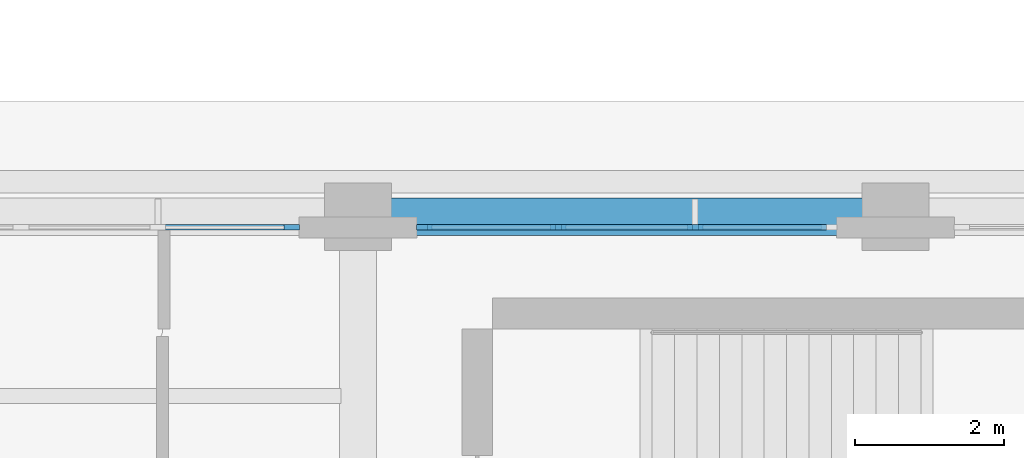
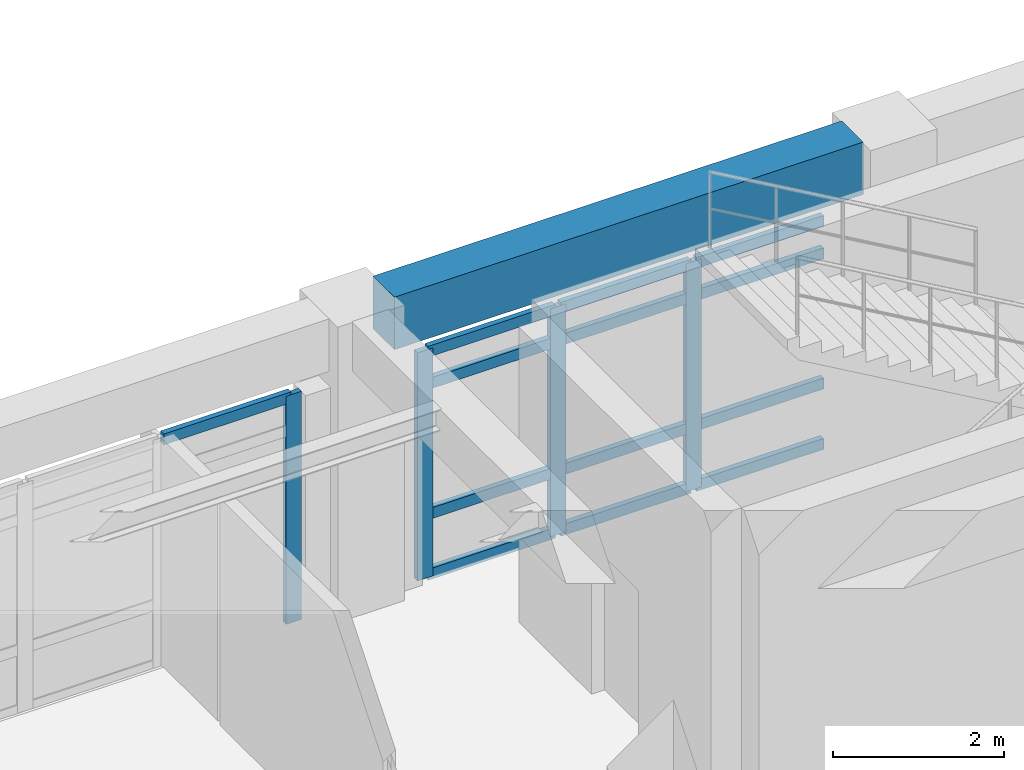
# One storey, part 17 of 69: 17 members, 1 beam, 2 elements without a shape of their own.
"""IFC4 building model written with IfcOpenShell, lengths in metres."""

from ifc_helpers import new_model, si_unit, direction, frame, origin, origin_2d, place, context, subcontext, project, spatial, rectangle, extrude, material, layer, layer_set, material_profile, profile_set, type_object, element, aggregate, save


model = new_model("IFC4")

# Units and contexts
model_context = context("Model", 3, precision=1e-05, world=origin(), true_north=direction((0.0, 1.0)))
body_context = subcontext(model_context, "Body", "Model", "MODEL_VIEW")
ifc_project = project(units=[si_unit("LENGTHUNIT", "METRE"), si_unit("AREAUNIT", "SQUARE_METRE"), si_unit("VOLUMEUNIT", "CUBIC_METRE"), si_unit("PLANEANGLEUNIT", "RADIAN"), si_unit("MASSUNIT", "GRAM", prefix="KILO")], contexts=[model_context])

# Site, building, storey
site_placement = place(None, origin())
site = spatial("IfcSite", under=ifc_project, at=site_placement, CompositionType="ELEMENT")
building_placement = place(site_placement, origin())
building = spatial("IfcBuilding", under=site, at=building_placement, Name="Solenvale Faculty of Natural Sciences", CompositionType="ELEMENT")
storey_placement = place(building_placement, frame((0.0, 0.0, 4.5)))
storey = spatial("IfcBuildingStorey", under=building, at=storey_placement, Name="L01", CompositionType="ELEMENT", Elevation=4.5)

# Beam
ifc_material_1 = material(Name="Concrete 40 MPa", Category="concrete")
ifc_material_profile_1 = material_profile(ifc_material_1, rectangle(XDim=0.5, YDim=0.75, at=origin_2d()), Name="RC-BM-500x750")
ifc_profile_set_1 = profile_set([ifc_material_profile_1], Name="Concrete 40 MPa")
beam_type = type_object("IfcBeamType", Name="BM-RC-500x750", PredefinedType="BEAM", material=ifc_profile_set_1)
beam_placement = place(storey_placement, frame((122.830078125, 57.60009765625, 3.844970703125), z_axis=(1.0, 0.0, 0.0), x_axis=(0.0, 1.0, 0.0)))
element("IfcBeam", 1, at=beam_placement, inside=storey, type_object=beam_type, Name="L01 X-Girder Y57.6 (122.4..129.6)", PredefinedType="BEAM", context=body_context, shape_type="SweptSolid", body=[
    extrude(rectangle(XDim=0.5, YDim=0.75, at=origin_2d()), origin(), (0.0, 0.0, 1.0), 6.33984375),
])

# Curtain wall, members
ifc_material_2 = material(Name="Anodised bronze aluminium", Category="aluminium")
ifc_layer = layer(ifc_material_2, 0.199951171875)
ifc_layer_set = layer_set([ifc_layer], Name="Anodised bronze aluminium")
curtain_wall_type = type_object("IfcCurtainWallType", Name="CW-COM-FIN", PredefinedType="USERDEFINED", material=ifc_layer_set)
curtain_wall_1_placement = place(storey_placement, origin())
curtain_wall_1 = element("IfcCurtainWall", 2, at=curtain_wall_1_placement, inside=storey, type_object=curtain_wall_type, Name="L01 Curtain Wall CW-L01-P1-E9-B6", ObjectType="UNITISED CURTAIN WALL", PredefinedType="USERDEFINED")
ifc_material_profile_2 = material_profile(ifc_material_2, rectangle(XDim=0.074951171875, YDim=0.2099609375, at=origin_2d()), Name="ALU-MUL-75x210")
ifc_profile_set_2 = profile_set([ifc_material_profile_2], Name="Anodised bronze aluminium")
member_type_1 = type_object("IfcMemberType", Name="CWM-ALU-75x210", PredefinedType="MULLION", material=ifc_profile_set_2)
member_1_placement = place(storey_placement, frame((126.916748046875, 57.45751953125, 0.0), z_axis=(0.0, 0.0, 1.0), x_axis=(0.0, -1.0, 0.0)))
member_1 = element("IfcMember", 3, at=member_1_placement, type_object=member_type_1, Name="CW-03 mullion 2", PredefinedType="MULLION", context=body_context, shape_type="SweptSolid", body=[
    extrude(rectangle(XDim=0.074951171875, YDim=0.2099609375, at=origin_2d()), origin(), (0.0, 0.0, 1.0), 3.260009765625),
])
member_2_placement = place(storey_placement, frame((125.083251953125, 57.45751953125, 0.0), z_axis=(0.0, 0.0, 1.0), x_axis=(0.0, -1.0, 0.0)))
member_2 = element("IfcMember", 4, at=member_2_placement, type_object=member_type_1, Name="CW-03 mullion 3", PredefinedType="MULLION", context=body_context, shape_type="SweptSolid", body=[
    extrude(rectangle(XDim=0.074951171875, YDim=0.2099609375, at=origin_2d()), origin(), (0.0, 0.0, 1.0), 3.260009765625),
])
member_3_placement = place(storey_placement, frame((123.28759765625, 57.45751953125, 0.0), z_axis=(0.0, 0.0, 1.0), x_axis=(0.0, -1.0, 0.0)))
member_3 = element("IfcMember", 5, at=member_3_placement, type_object=member_type_1, Name="CW-03 mullion 4", PredefinedType="MULLION", context=body_context, shape_type="SweptSolid", body=[
    extrude(rectangle(XDim=0.074951171875, YDim=0.2099609375, at=origin_2d()), origin(), (0.0, 0.0, 1.0), 3.260009765625),
])

# Curtain wall, member
curtain_wall_2_placement = place(storey_placement, origin())
curtain_wall_2 = element("IfcCurtainWall", 6, at=curtain_wall_2_placement, inside=storey, type_object=curtain_wall_type, Name="L01 Curtain Wall CW-L01-P1-E9-B7", ObjectType="UNITISED CURTAIN WALL", PredefinedType="USERDEFINED")
member_4_placement = place(storey_placement, frame((121.512451171875, 57.45751953125, 0.0), z_axis=(0.0, 0.0, 1.0), x_axis=(0.0, -1.0, 0.0)))
member_4 = element("IfcMember", 7, at=member_4_placement, type_object=member_type_1, Name="CW-03 mullion 1", PredefinedType="MULLION", context=body_context, shape_type="SweptSolid", body=[
    extrude(rectangle(XDim=0.074951171875, YDim=0.2099609375, at=origin_2d()), origin(), (0.0, 0.0, 1.0), 3.260009765625),
])

# Member
ifc_material_profile_3 = material_profile(ifc_material_2, rectangle(XDim=0.074951171875, YDim=0.155029296875, at=origin_2d()), Name="ALU-TRN-75x155")
ifc_profile_set_3 = profile_set([ifc_material_profile_3], Name="Anodised bronze aluminium")
member_type_2 = type_object("IfcMemberType", Name="CWT-ALU-75x155", PredefinedType="USERDEFINED", material=ifc_profile_set_3)
member_5_placement = place(storey_placement, frame((128.675048828125, 57.45751953125, 0.03759765625), z_axis=(-1.0, 0.0, 0.0), x_axis=(0.0, -1.0, 0.0)))
member_5 = element("IfcMember", 8, at=member_5_placement, type_object=member_type_2, Name="CW-03 transom 1.1", ObjectType="TRANSOM", PredefinedType="USERDEFINED", context=body_context, shape_type="SweptSolid", body=[
    extrude(rectangle(XDim=0.074951171875, YDim=0.155029296875, at=origin_2d()), origin(), (0.0, 0.0, 1.0), 1.720947265625),
])

member_6_placement = place(storey_placement, frame((128.675048828125, 57.45751953125, 0.89990234375), z_axis=(-1.0, 0.0, 0.0), x_axis=(0.0, -1.0, 0.0)))
member_6 = element("IfcMember", 9, at=member_6_placement, type_object=member_type_2, Name="CW-03 transom 1.2", ObjectType="TRANSOM", PredefinedType="USERDEFINED", context=body_context, shape_type="SweptSolid", body=[
    extrude(rectangle(XDim=0.074951171875, YDim=0.155029296875, at=origin_2d()), origin(), (0.0, 0.0, 1.0), 1.720947265625),
])

member_7_placement = place(storey_placement, frame((128.675048828125, 57.45751953125, 2.760009765625), z_axis=(-1.0, 0.0, 0.0), x_axis=(0.0, -1.0, 0.0)))
member_7 = element("IfcMember", 10, at=member_7_placement, type_object=member_type_2, Name="CW-03 transom 1.3", ObjectType="TRANSOM", PredefinedType="USERDEFINED", context=body_context, shape_type="SweptSolid", body=[
    extrude(rectangle(XDim=0.074951171875, YDim=0.155029296875, at=origin_2d()), origin(), (0.0, 0.0, 1.0), 1.720947265625),
])

member_8_placement = place(storey_placement, frame((128.675048828125, 57.45751953125, 3.222412109375), z_axis=(-1.0, 0.0, 0.0), x_axis=(0.0, -1.0, 0.0)))
member_8 = element("IfcMember", 11, at=member_8_placement, type_object=member_type_2, Name="CW-03 transom 1.4", ObjectType="TRANSOM", PredefinedType="USERDEFINED", context=body_context, shape_type="SweptSolid", body=[
    extrude(rectangle(XDim=0.074951171875, YDim=0.155029296875, at=origin_2d()), origin(), (0.0, 0.0, 1.0), 1.720947265625),
])

member_9_placement = place(storey_placement, frame((126.879150390625, 57.45751953125, 0.03759765625), z_axis=(-1.0, 0.0, 0.0), x_axis=(0.0, -1.0, 0.0)))
member_9 = element("IfcMember", 12, at=member_9_placement, type_object=member_type_2, Name="CW-03 transom 2.1", ObjectType="TRANSOM", PredefinedType="USERDEFINED", context=body_context, shape_type="SweptSolid", body=[
    extrude(rectangle(XDim=0.074951171875, YDim=0.155029296875, at=origin_2d()), origin(), (0.0, 0.0, 1.0), 1.75830078125),
])

member_10_placement = place(storey_placement, frame((126.879150390625, 57.45751953125, 0.89990234375), z_axis=(-1.0, 0.0, 0.0), x_axis=(0.0, -1.0, 0.0)))
member_10 = element("IfcMember", 13, at=member_10_placement, type_object=member_type_2, Name="CW-03 transom 2.2", ObjectType="TRANSOM", PredefinedType="USERDEFINED", context=body_context, shape_type="SweptSolid", body=[
    extrude(rectangle(XDim=0.074951171875, YDim=0.155029296875, at=origin_2d()), origin(), (0.0, 0.0, 1.0), 1.75830078125),
])

member_11_placement = place(storey_placement, frame((126.879150390625, 57.45751953125, 2.760009765625), z_axis=(-1.0, 0.0, 0.0), x_axis=(0.0, -1.0, 0.0)))
member_11 = element("IfcMember", 14, at=member_11_placement, type_object=member_type_2, Name="CW-03 transom 2.3", ObjectType="TRANSOM", PredefinedType="USERDEFINED", context=body_context, shape_type="SweptSolid", body=[
    extrude(rectangle(XDim=0.074951171875, YDim=0.155029296875, at=origin_2d()), origin(), (0.0, 0.0, 1.0), 1.75830078125),
])

member_12_placement = place(storey_placement, frame((126.879150390625, 57.45751953125, 3.222412109375), z_axis=(-1.0, 0.0, 0.0), x_axis=(0.0, -1.0, 0.0)))
member_12 = element("IfcMember", 15, at=member_12_placement, type_object=member_type_2, Name="CW-03 transom 2.4", ObjectType="TRANSOM", PredefinedType="USERDEFINED", context=body_context, shape_type="SweptSolid", body=[
    extrude(rectangle(XDim=0.074951171875, YDim=0.155029296875, at=origin_2d()), origin(), (0.0, 0.0, 1.0), 1.75830078125),
])

member_13_placement = place(storey_placement, frame((125.0458984375, 57.45751953125, 0.03759765625), z_axis=(-1.0, 0.0, 0.0), x_axis=(0.0, -1.0, 0.0)))
member_13 = element("IfcMember", 16, at=member_13_placement, type_object=member_type_2, Name="CW-03 transom 3.1", ObjectType="TRANSOM", PredefinedType="USERDEFINED", context=body_context, shape_type="SweptSolid", body=[
    extrude(rectangle(XDim=0.074951171875, YDim=0.155029296875, at=origin_2d()), origin(), (0.0, 0.0, 1.0), 1.720947265625),
])

member_14_placement = place(storey_placement, frame((125.0458984375, 57.45751953125, 0.89990234375), z_axis=(-1.0, 0.0, 0.0), x_axis=(0.0, -1.0, 0.0)))
member_14 = element("IfcMember", 17, at=member_14_placement, type_object=member_type_2, Name="CW-03 transom 3.2", ObjectType="TRANSOM", PredefinedType="USERDEFINED", context=body_context, shape_type="SweptSolid", body=[
    extrude(rectangle(XDim=0.074951171875, YDim=0.155029296875, at=origin_2d()), origin(), (0.0, 0.0, 1.0), 1.720947265625),
])

member_15_placement = place(storey_placement, frame((125.0458984375, 57.45751953125, 2.760009765625), z_axis=(-1.0, 0.0, 0.0), x_axis=(0.0, -1.0, 0.0)))
member_15 = element("IfcMember", 18, at=member_15_placement, type_object=member_type_2, Name="CW-03 transom 3.3", ObjectType="TRANSOM", PredefinedType="USERDEFINED", context=body_context, shape_type="SweptSolid", body=[
    extrude(rectangle(XDim=0.074951171875, YDim=0.155029296875, at=origin_2d()), origin(), (0.0, 0.0, 1.0), 1.720947265625),
])

member_16_placement = place(storey_placement, frame((125.0458984375, 57.45751953125, 3.222412109375), z_axis=(-1.0, 0.0, 0.0), x_axis=(0.0, -1.0, 0.0)))
member_16 = element("IfcMember", 19, at=member_16_placement, type_object=member_type_2, Name="CW-03 transom 3.4", ObjectType="TRANSOM", PredefinedType="USERDEFINED", context=body_context, shape_type="SweptSolid", body=[
    extrude(rectangle(XDim=0.074951171875, YDim=0.155029296875, at=origin_2d()), origin(), (0.0, 0.0, 1.0), 1.720947265625),
])

aggregate(curtain_wall_1, [member_1, member_2, member_3, member_5, member_6, member_7, member_8, member_9, member_10, member_11, member_12, member_13, member_14, member_15, member_16])

member_17_placement = place(storey_placement, frame((121.47509765625, 57.45751953125, 3.222412109375), z_axis=(-1.0, 0.0, 0.0), x_axis=(0.0, -1.0, 0.0)))
member_17 = element("IfcMember", 20, at=member_17_placement, type_object=member_type_2, Name="CW-03 transom 1.4", ObjectType="TRANSOM", PredefinedType="USERDEFINED", context=body_context, shape_type="SweptSolid", body=[
    extrude(rectangle(XDim=0.074951171875, YDim=0.155029296875, at=origin_2d()), origin(), (0.0, 0.0, 1.0), 1.720947265625),
])

aggregate(curtain_wall_2, [member_4, member_17])

save(model, "model.ifc")
